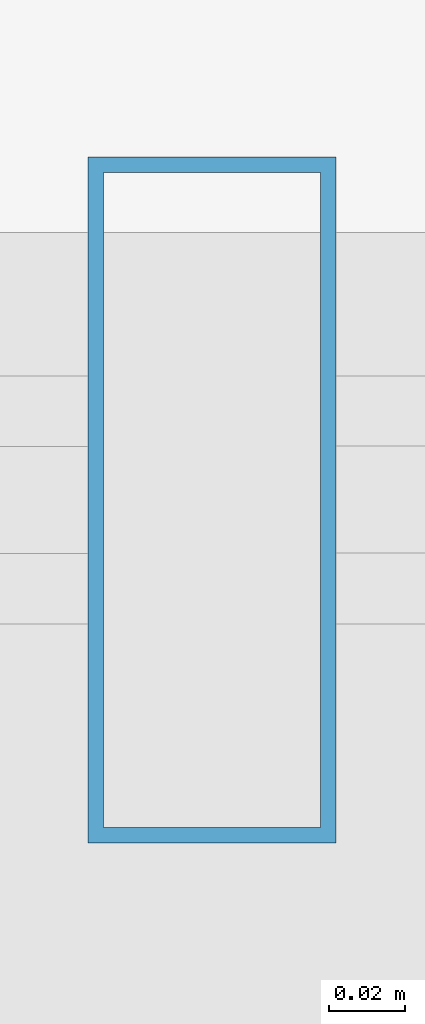
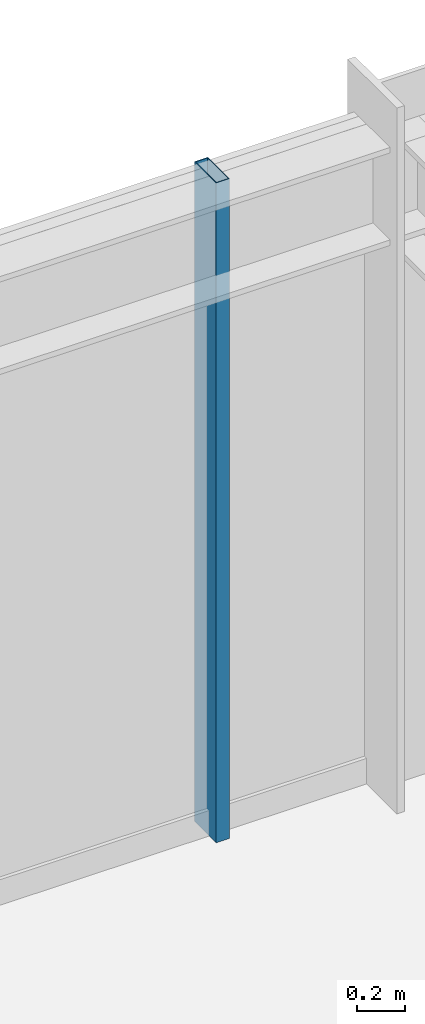
# One storey, part 24 of 39: 1 member, 1 element without a shape of its own.
"""IFC4 building model written with IfcOpenShell, lengths in metres."""

from ifc_helpers import new_model, si_unit, direction, frame, origin, origin_2d, place, context, subcontext, project, spatial, hollow_rectangle, extrude, source, transform, mapped, material, material_profile, profile_set, type_object, element, aggregate, save


model = new_model("IFC4")

# Units and contexts
model_context = context("Model", 3, precision=1e-05, world=origin(), true_north=direction((0.0, 1.0)))
body_context = subcontext(model_context, "Body", "Model", "MODEL_VIEW")
ifc_project = project(units=[si_unit("LENGTHUNIT", "METRE"), si_unit("AREAUNIT", "SQUARE_METRE"), si_unit("VOLUMEUNIT", "CUBIC_METRE"), si_unit("PLANEANGLEUNIT", "RADIAN"), si_unit("MASSUNIT", "GRAM", prefix="KILO")], contexts=[model_context])

# Site, building, storey
site_placement = place(None, origin())
site = spatial("IfcSite", under=ifc_project, at=site_placement, CompositionType="ELEMENT")
building_placement = place(site_placement, origin())
building = spatial("IfcBuilding", under=site, at=building_placement, Name="Nahalor Promenade Grand Hotel", CompositionType="ELEMENT")
storey_placement = place(building_placement, frame((0.0, 0.0, 32.39990234375)))
storey = spatial("IfcBuildingStorey", under=building, at=storey_placement, Name="L06", CompositionType="ELEMENT", Elevation=32.39990234375)

# Curtain wall, member
ifc_material = material(Name="Anodised Bronze Aluminium EN AW-6063 T6", Category="aluminium")
curtain_wall_type = type_object("IfcCurtainWallType", Name="CW2 Typical Hotel Flush Bronze Unitised Curtain Wall", PredefinedType="USERDEFINED", material=ifc_material)
curtain_wall_placement = place(storey_placement, origin())
curtain_wall = element("IfcCurtainWall", 1, at=curtain_wall_placement, inside=storey, type_object=curtain_wall_type, Name="L06 Curtain Wall CW-L06-N-3", ObjectType="UNITISED_CURTAIN_WALL", PredefinedType="USERDEFINED")
ifc_material_profile = material_profile(ifc_material, hollow_rectangle(XDim=0.065, YDim=0.18, WallThickness=0.004, at=origin_2d()), Name="CWM 65x180x4")
ifc_profile_set = profile_set([ifc_material_profile], Name="Anodised Bronze Aluminium EN AW-6063 T6")
member_type = type_object("IfcMemberType", Name="CWM2 Typical Bronze Mullion 65x180", PredefinedType="MULLION", material=ifc_profile_set)
shared_shape = source(origin(), body_context, "Body", "SweptSolid", [
    extrude(hollow_rectangle(XDim=0.065, YDim=0.18, WallThickness=0.004, at=origin_2d()), origin(), (0.0, 0.0, 1.0), 3.3701171875),
])
member_placement = place(storey_placement, frame((1.853271484375, 25.159912109375, 0.0), z_axis=(0.0, 0.0, 1.0), x_axis=(1.0, 0.0, 0.0)))
member = element("IfcMember", 2, at=member_placement, type_object=member_type, Name="CW-L06-N-3 Mullion 1", PredefinedType="MULLION", context=body_context, shape_type="MappedRepresentation", body=[
    mapped(shared_shape, transform((0.0, 0.0, 0.0), scale=1.0)),
])
aggregate(curtain_wall, [member])

save(model, "model.ifc")
